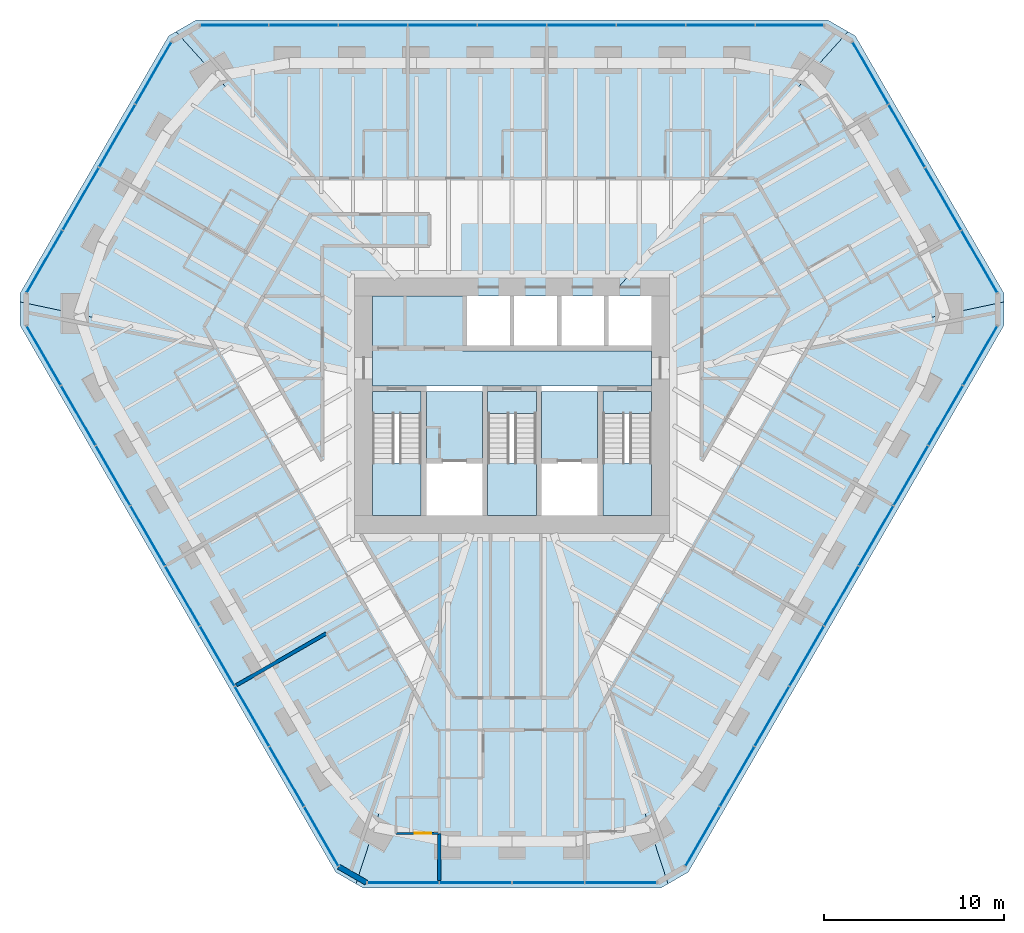
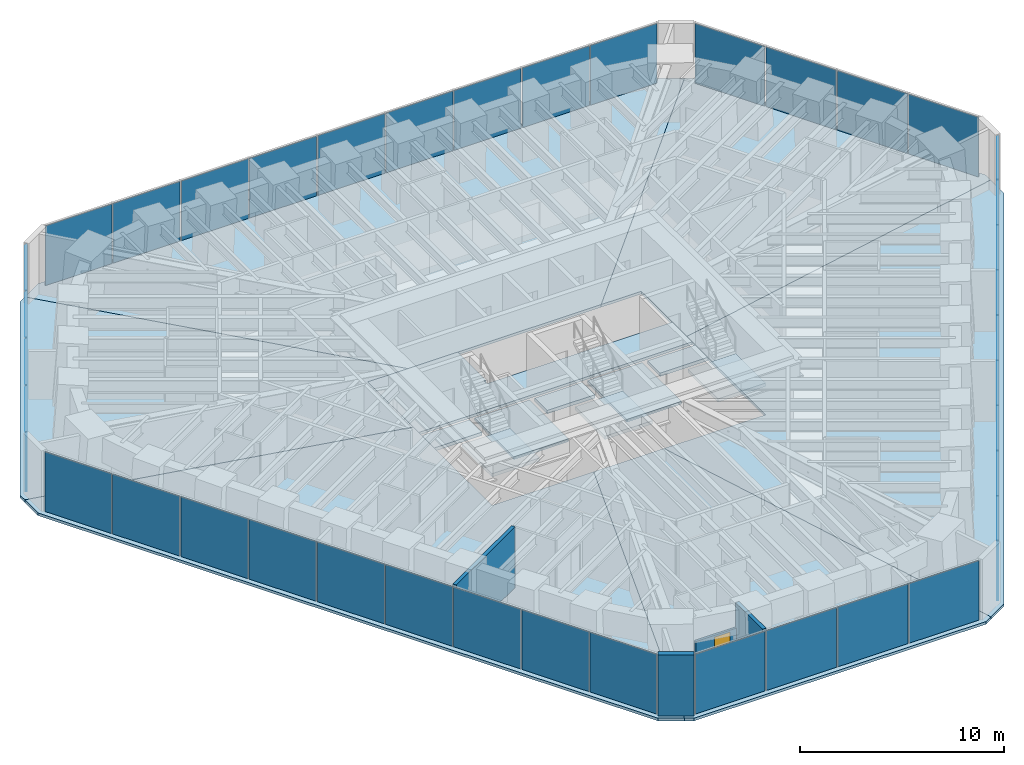
# One storey, part 10 of 16: 39 plates, 15 slabs, 4 walls, 1 door, 1 opening, 9 elements without a shape of their own.
"""IFC4 building model written with IfcOpenShell, lengths in metres."""

from ifc_helpers import new_model, si_unit, direction, frame, frame_2d, origin, origin_2d, place, context, subcontext, project, spatial, polyline, rectangle, outline, extrude, material, layer, layer_set, type_object, element, fill, aggregate, save


model = new_model("IFC4")

# Units and contexts
model_context = context("Model", 3, precision=1e-05, world=origin(), true_north=direction((0.0, 1.0)))
body_context = subcontext(model_context, "Body", "Model", "MODEL_VIEW")
ifc_project = project(units=[si_unit("LENGTHUNIT", "METRE"), si_unit("AREAUNIT", "SQUARE_METRE"), si_unit("VOLUMEUNIT", "CUBIC_METRE"), si_unit("PLANEANGLEUNIT", "RADIAN"), si_unit("MASSUNIT", "GRAM", prefix="KILO")], contexts=[model_context])

# Site, building, storey
site_placement = place(None, origin())
site = spatial("IfcSite", under=ifc_project, at=site_placement, CompositionType="ELEMENT")
building_placement = place(site_placement, origin())
building = spatial("IfcBuilding", under=site, at=building_placement, Name="Sandreach Pilgrim Tower", CompositionType="ELEMENT")
storey_placement = place(building_placement, frame((0.0, 0.0, 244.0)))
storey = spatial("IfcBuildingStorey", under=building, at=storey_placement, Name="L61", CompositionType="ELEMENT", Elevation=244.0)

# Curtain wall, plates
ifc_material_1 = material(Name="Aluminium framed curtain wall", Category="aluminium")
curtain_wall_type = type_object("IfcCurtainWallType", Name="Upper hotel tower curtain wall", PredefinedType="NOTDEFINED", material=ifc_material_1)
curtain_wall_1_placement = place(storey_placement, origin())
curtain_wall_1 = element("IfcCurtainWall", 1, at=curtain_wall_1_placement, inside=storey, type_object=curtain_wall_type, Name="CW-3 L61 N", PredefinedType="NOTDEFINED")
ifc_material_2 = material(Name="Insulating glass unit 12.76 laminated + 20 argon + 12.76 laminated", Category="glass")
ifc_layer_1 = layer(ifc_material_2, 0.0458984375)
ifc_layer_set_1 = layer_set([ifc_layer_1], Name="CW-3 panel")
plate_type = type_object("IfcPlateType", Name="CW-3 panel", PredefinedType="CURTAIN_PANEL", material=ifc_layer_set_1)
plate_1_placement = place(storey_placement, frame((-15.44140625, 21.16015625, 0.0), z_axis=(0.0, 0.0, 1.0), x_axis=(1.0, 0.0, 0.0)))
plate_1 = element("IfcPlate", 2, at=plate_1_placement, type_object=plate_type, Name="CW-3 panel 1", PredefinedType="CURTAIN_PANEL", context=body_context, shape_type="SweptSolid", body=[
    extrude(rectangle(XDim=3.766845703125, YDim=0.0458984375, at=origin_2d()), origin(), (0.0, 0.0, 1.0), 3.570068359375),
])
plate_2_placement = place(storey_placement, frame((-11.59326171875, 21.16015625, 0.0), z_axis=(0.0, 0.0, 1.0), x_axis=(1.0, 0.0, 0.0)))
plate_2 = element("IfcPlate", 3, at=plate_2_placement, type_object=plate_type, Name="CW-3 panel 2", PredefinedType="CURTAIN_PANEL", context=body_context, shape_type="SweptSolid", body=[
    extrude(rectangle(XDim=3.79931640625, YDim=0.0458984375, at=origin_2d()), origin(), (0.0, 0.0, 1.0), 3.570068359375),
])
plate_3_placement = place(storey_placement, frame((-7.728759765625, 21.16015625, 0.0), z_axis=(0.0, 0.0, 1.0), x_axis=(1.0, 0.0, 0.0)))
plate_3 = element("IfcPlate", 4, at=plate_3_placement, type_object=plate_type, Name="CW-3 panel 3", PredefinedType="CURTAIN_PANEL", context=body_context, shape_type="SweptSolid", body=[
    extrude(rectangle(XDim=3.79931640625, YDim=0.0458984375, at=origin_2d()), origin(), (0.0, 0.0, 1.0), 3.570068359375),
])
plate_4_placement = place(storey_placement, frame((-3.864501953125, 21.16015625, 0.0), z_axis=(0.0, 0.0, 1.0), x_axis=(1.0, 0.0, 0.0)))
plate_4 = element("IfcPlate", 5, at=plate_4_placement, type_object=plate_type, Name="CW-3 panel 4", PredefinedType="CURTAIN_PANEL", context=body_context, shape_type="SweptSolid", body=[
    extrude(rectangle(XDim=3.79931640625, YDim=0.0458984375, at=origin_2d()), origin(), (0.0, 0.0, 1.0), 3.570068359375),
])
plate_5_placement = place(storey_placement, frame((0.0, 21.16015625, 0.0), z_axis=(0.0, 0.0, 1.0), x_axis=(1.0, 0.0, 0.0)))
plate_5 = element("IfcPlate", 6, at=plate_5_placement, type_object=plate_type, Name="CW-3 panel 5", PredefinedType="CURTAIN_PANEL", context=body_context, shape_type="SweptSolid", body=[
    extrude(rectangle(XDim=3.79931640625, YDim=0.0458984375, at=origin_2d()), origin(), (0.0, 0.0, 1.0), 3.570068359375),
])
plate_6_placement = place(storey_placement, frame((3.864501953125, 21.16015625, 0.0), z_axis=(0.0, 0.0, 1.0), x_axis=(1.0, 0.0, 0.0)))
plate_6 = element("IfcPlate", 7, at=plate_6_placement, type_object=plate_type, Name="CW-3 panel 6", PredefinedType="CURTAIN_PANEL", context=body_context, shape_type="SweptSolid", body=[
    extrude(rectangle(XDim=3.79931640625, YDim=0.0458984375, at=origin_2d()), origin(), (0.0, 0.0, 1.0), 3.570068359375),
])
plate_7_placement = place(storey_placement, frame((7.728759765625, 21.16015625, 0.0), z_axis=(0.0, 0.0, 1.0), x_axis=(1.0, 0.0, 0.0)))
plate_7 = element("IfcPlate", 8, at=plate_7_placement, type_object=plate_type, Name="CW-3 panel 7", PredefinedType="CURTAIN_PANEL", context=body_context, shape_type="SweptSolid", body=[
    extrude(rectangle(XDim=3.79931640625, YDim=0.0458984375, at=origin_2d()), origin(), (0.0, 0.0, 1.0), 3.570068359375),
])
plate_8_placement = place(storey_placement, frame((11.59326171875, 21.16015625, 0.0), z_axis=(0.0, 0.0, 1.0), x_axis=(1.0, 0.0, 0.0)))
plate_8 = element("IfcPlate", 9, at=plate_8_placement, type_object=plate_type, Name="CW-3 panel 8", PredefinedType="CURTAIN_PANEL", context=body_context, shape_type="SweptSolid", body=[
    extrude(rectangle(XDim=3.79931640625, YDim=0.0458984375, at=origin_2d()), origin(), (0.0, 0.0, 1.0), 3.570068359375),
])
plate_9_placement = place(storey_placement, frame((15.44140625, 21.16015625, 0.0), z_axis=(0.0, 0.0, 1.0), x_axis=(1.0, 0.0, 0.0)))
plate_9 = element("IfcPlate", 10, at=plate_9_placement, type_object=plate_type, Name="CW-3 panel 9", PredefinedType="CURTAIN_PANEL", context=body_context, shape_type="SweptSolid", body=[
    extrude(rectangle(XDim=3.766845703125, YDim=0.0458984375, at=origin_2d()), origin(), (0.0, 0.0, 1.0), 3.570068359375),
])
aggregate(curtain_wall_1, [plate_1, plate_2, plate_3, plate_4, plate_5, plate_6, plate_7, plate_8, plate_9])

curtain_wall_2_placement = place(storey_placement, origin())
curtain_wall_2 = element("IfcCurtainWall", 11, at=curtain_wall_2_placement, inside=storey, type_object=curtain_wall_type, Name="CW-3 L61 NE", PredefinedType="NOTDEFINED")
plate_10_placement = place(storey_placement, frame((19.943115234375, 18.5078125, 0.0), z_axis=(0.0, 0.0, 1.0), x_axis=(0.5, -0.866025403784, 0.0)))
plate_10 = element("IfcPlate", 12, at=plate_10_placement, type_object=plate_type, Name="CW-3 panel 1", PredefinedType="CURTAIN_PANEL", context=body_context, shape_type="SweptSolid", body=[
    extrude(rectangle(XDim=3.951171875, YDim=0.0458984375, at=origin_2d()), origin(), (0.0, 0.0, 1.0), 3.570068359375),
])
plate_11_placement = place(storey_placement, frame((21.959228515625, 15.015625, 0.0), z_axis=(0.0, 0.0, 1.0), x_axis=(0.5, -0.866025403784, 0.0)))
plate_11 = element("IfcPlate", 13, at=plate_11_placement, type_object=plate_type, Name="CW-3 panel 2", PredefinedType="CURTAIN_PANEL", context=body_context, shape_type="SweptSolid", body=[
    extrude(rectangle(XDim=3.983642578125, YDim=0.0458984375, at=origin_2d()), origin(), (0.0, 0.0, 1.0), 3.570068359375),
])
plate_12_placement = place(storey_placement, frame((23.983642578125, 11.509521484375, 0.0), z_axis=(0.0, 0.0, 1.0), x_axis=(0.5, -0.866025403784, 0.0)))
plate_12 = element("IfcPlate", 14, at=plate_12_placement, type_object=plate_type, Name="CW-3 panel 3", PredefinedType="CURTAIN_PANEL", context=body_context, shape_type="SweptSolid", body=[
    extrude(rectangle(XDim=3.983642578125, YDim=0.0458984375, at=origin_2d()), origin(), (0.0, 0.0, 1.0), 3.570068359375),
])
plate_13_placement = place(storey_placement, frame((25.999755859375, 8.017333984375, 0.0), z_axis=(0.0, 0.0, 1.0), x_axis=(0.5, -0.866025403784, 0.0)))
plate_13 = element("IfcPlate", 15, at=plate_13_placement, type_object=plate_type, Name="CW-3 panel 4", PredefinedType="CURTAIN_PANEL", context=body_context, shape_type="SweptSolid", body=[
    extrude(rectangle(XDim=3.951171875, YDim=0.0458984375, at=origin_2d()), origin(), (0.0, 0.0, 1.0), 3.570068359375),
])
aggregate(curtain_wall_2, [plate_10, plate_11, plate_12, plate_13])

curtain_wall_3_placement = place(storey_placement, origin())
curtain_wall_3 = element("IfcCurtainWall", 16, at=curtain_wall_3_placement, inside=storey, type_object=curtain_wall_type, Name="CW-3 L61 SE", PredefinedType="NOTDEFINED")
plate_14_placement = place(storey_placement, frame((26.0458984375, 2.792724609375, 0.0), z_axis=(0.0, 0.0, 1.0), x_axis=(-0.5, -0.866025403784, 0.0)))
plate_14 = element("IfcPlate", 17, at=plate_14_placement, type_object=plate_type, Name="CW-3 panel 1", PredefinedType="CURTAIN_PANEL", context=body_context, shape_type="SweptSolid", body=[
    extrude(rectangle(XDim=3.766845703125, YDim=0.0458984375, at=origin_2d()), origin(), (0.0, 0.0, 1.0), 3.570068359375),
])
plate_15_placement = place(storey_placement, frame((24.121826171875, -0.5400390625, 0.0), z_axis=(0.0, 0.0, 1.0), x_axis=(-0.5, -0.866025403784, 0.0)))
plate_15 = element("IfcPlate", 18, at=plate_15_placement, type_object=plate_type, Name="CW-3 panel 2", PredefinedType="CURTAIN_PANEL", context=body_context, shape_type="SweptSolid", body=[
    extrude(rectangle(XDim=3.79931640625, YDim=0.0458984375, at=origin_2d()), origin(), (0.0, 0.0, 1.0), 3.570068359375),
])
plate_16_placement = place(storey_placement, frame((22.189697265625, -3.88671875, 0.0), z_axis=(0.0, 0.0, 1.0), x_axis=(-0.5, -0.866025403784, 0.0)))
plate_16 = element("IfcPlate", 19, at=plate_16_placement, type_object=plate_type, Name="CW-3 panel 3", PredefinedType="CURTAIN_PANEL", context=body_context, shape_type="SweptSolid", body=[
    extrude(rectangle(XDim=3.79931640625, YDim=0.0458984375, at=origin_2d()), origin(), (0.0, 0.0, 1.0), 3.570068359375),
])
plate_17_placement = place(storey_placement, frame((20.25732421875, -7.2333984375, 0.0), z_axis=(0.0, 0.0, 1.0), x_axis=(-0.5, -0.866025403784, 0.0)))
plate_17 = element("IfcPlate", 20, at=plate_17_placement, type_object=plate_type, Name="CW-3 panel 4", PredefinedType="CURTAIN_PANEL", context=body_context, shape_type="SweptSolid", body=[
    extrude(rectangle(XDim=3.79931640625, YDim=0.0458984375, at=origin_2d()), origin(), (0.0, 0.0, 1.0), 3.570068359375),
])
plate_18_placement = place(storey_placement, frame((18.3251953125, -10.580078125, 0.0), z_axis=(0.0, 0.0, 1.0), x_axis=(-0.5, -0.866025403784, 0.0)))
plate_18 = element("IfcPlate", 21, at=plate_18_placement, type_object=plate_type, Name="CW-3 panel 5", PredefinedType="CURTAIN_PANEL", context=body_context, shape_type="SweptSolid", body=[
    extrude(rectangle(XDim=3.79931640625, YDim=0.0458984375, at=origin_2d()), origin(), (0.0, 0.0, 1.0), 3.570068359375),
])
plate_19_placement = place(storey_placement, frame((16.39306640625, -13.9267578125, 0.0), z_axis=(0.0, 0.0, 1.0), x_axis=(-0.5, -0.866025403784, 0.0)))
plate_19 = element("IfcPlate", 22, at=plate_19_placement, type_object=plate_type, Name="CW-3 panel 6", PredefinedType="CURTAIN_PANEL", context=body_context, shape_type="SweptSolid", body=[
    extrude(rectangle(XDim=3.79931640625, YDim=0.0458984375, at=origin_2d()), origin(), (0.0, 0.0, 1.0), 3.570068359375),
])
plate_20_placement = place(storey_placement, frame((14.460693359375, -17.2734375, 0.0), z_axis=(0.0, 0.0, 1.0), x_axis=(-0.5, -0.866025403784, 0.0)))
plate_20 = element("IfcPlate", 23, at=plate_20_placement, type_object=plate_type, Name="CW-3 panel 7", PredefinedType="CURTAIN_PANEL", context=body_context, shape_type="SweptSolid", body=[
    extrude(rectangle(XDim=3.79931640625, YDim=0.0458984375, at=origin_2d()), origin(), (0.0, 0.0, 1.0), 3.570068359375),
])
plate_21_placement = place(storey_placement, frame((12.528564453125, -20.6201171875, 0.0), z_axis=(0.0, 0.0, 1.0), x_axis=(-0.5, -0.866025403784, 0.0)))
plate_21 = element("IfcPlate", 24, at=plate_21_placement, type_object=plate_type, Name="CW-3 panel 8", PredefinedType="CURTAIN_PANEL", context=body_context, shape_type="SweptSolid", body=[
    extrude(rectangle(XDim=3.79931640625, YDim=0.0458984375, at=origin_2d()), origin(), (0.0, 0.0, 1.0), 3.570068359375),
])
plate_22_placement = place(storey_placement, frame((10.6044921875, -23.95263671875, 0.0), z_axis=(0.0, 0.0, 1.0), x_axis=(-0.5, -0.866025403784, 0.0)))
plate_22 = element("IfcPlate", 25, at=plate_22_placement, type_object=plate_type, Name="CW-3 panel 9", PredefinedType="CURTAIN_PANEL", context=body_context, shape_type="SweptSolid", body=[
    extrude(rectangle(XDim=3.766845703125, YDim=0.0458984375, at=origin_2d()), origin(), (0.0, 0.0, 1.0), 3.570068359375),
])
aggregate(curtain_wall_3, [plate_14, plate_15, plate_16, plate_17, plate_18, plate_19, plate_20, plate_21, plate_22])

curtain_wall_4_placement = place(storey_placement, origin())
curtain_wall_4 = element("IfcCurtainWall", 26, at=curtain_wall_4_placement, inside=storey, type_object=curtain_wall_type, Name="CW-3 L61 S", PredefinedType="NOTDEFINED")
plate_23_placement = place(storey_placement, frame((6.056884765625, -26.525146484375, 0.0), z_axis=(0.0, 0.0, 1.0), x_axis=(-1.0, 0.0, 0.0)))
plate_23 = element("IfcPlate", 27, at=plate_23_placement, type_object=plate_type, Name="CW-3 panel 1", PredefinedType="CURTAIN_PANEL", context=body_context, shape_type="SweptSolid", body=[
    extrude(rectangle(XDim=3.951171875, YDim=0.0458984375, at=origin_2d()), origin(), (0.0, 0.0, 1.0), 3.570068359375),
])
plate_24_placement = place(storey_placement, frame((2.0244140625, -26.525146484375, 0.0), z_axis=(0.0, 0.0, 1.0), x_axis=(-1.0, 0.0, 0.0)))
plate_24 = element("IfcPlate", 28, at=plate_24_placement, type_object=plate_type, Name="CW-3 panel 2", PredefinedType="CURTAIN_PANEL", context=body_context, shape_type="SweptSolid", body=[
    extrude(rectangle(XDim=3.983642578125, YDim=0.0458984375, at=origin_2d()), origin(), (0.0, 0.0, 1.0), 3.570068359375),
])
plate_25_placement = place(storey_placement, frame((-2.0244140625, -26.525146484375, 0.0), z_axis=(0.0, 0.0, 1.0), x_axis=(-1.0, 0.0, 0.0)))
plate_25 = element("IfcPlate", 29, at=plate_25_placement, type_object=plate_type, Name="CW-3 panel 3", PredefinedType="CURTAIN_PANEL", context=body_context, shape_type="SweptSolid", body=[
    extrude(rectangle(XDim=3.983642578125, YDim=0.0458984375, at=origin_2d()), origin(), (0.0, 0.0, 1.0), 3.570068359375),
])
plate_26_placement = place(storey_placement, frame((-6.056884765625, -26.525146484375, 0.0), z_axis=(0.0, 0.0, 1.0), x_axis=(-1.0, 0.0, 0.0)))
plate_26 = element("IfcPlate", 30, at=plate_26_placement, type_object=plate_type, Name="CW-3 panel 4", PredefinedType="CURTAIN_PANEL", context=body_context, shape_type="SweptSolid", body=[
    extrude(rectangle(XDim=3.951171875, YDim=0.0458984375, at=origin_2d()), origin(), (0.0, 0.0, 1.0), 3.570068359375),
])
aggregate(curtain_wall_4, [plate_23, plate_24, plate_25, plate_26])

curtain_wall_5_placement = place(storey_placement, origin())
curtain_wall_5 = element("IfcCurtainWall", 31, at=curtain_wall_5_placement, inside=storey, type_object=curtain_wall_type, Name="CW-3 L61 SW", PredefinedType="NOTDEFINED")
plate_27_placement = place(storey_placement, frame((-10.6044921875, -23.95263671875, 0.0), z_axis=(0.0, 0.0, 1.0), x_axis=(-0.5, 0.866025403784, 0.0)))
plate_27 = element("IfcPlate", 32, at=plate_27_placement, type_object=plate_type, Name="CW-3 panel 1", PredefinedType="CURTAIN_PANEL", context=body_context, shape_type="SweptSolid", body=[
    extrude(rectangle(XDim=3.766845703125, YDim=0.0458984375, at=origin_2d()), origin(), (0.0, 0.0, 1.0), 3.570068359375),
])
plate_28_placement = place(storey_placement, frame((-12.528564453125, -20.6201171875, 0.0), z_axis=(0.0, 0.0, 1.0), x_axis=(-0.5, 0.866025403784, 0.0)))
plate_28 = element("IfcPlate", 33, at=plate_28_placement, type_object=plate_type, Name="CW-3 panel 2", PredefinedType="CURTAIN_PANEL", context=body_context, shape_type="SweptSolid", body=[
    extrude(rectangle(XDim=3.79931640625, YDim=0.0458984375, at=origin_2d()), origin(), (0.0, 0.0, 1.0), 3.570068359375),
])
plate_29_placement = place(storey_placement, frame((-14.460693359375, -17.2734375, 0.0), z_axis=(0.0, 0.0, 1.0), x_axis=(-0.5, 0.866025403784, 0.0)))
plate_29 = element("IfcPlate", 34, at=plate_29_placement, type_object=plate_type, Name="CW-3 panel 3", PredefinedType="CURTAIN_PANEL", context=body_context, shape_type="SweptSolid", body=[
    extrude(rectangle(XDim=3.79931640625, YDim=0.0458984375, at=origin_2d()), origin(), (0.0, 0.0, 1.0), 3.570068359375),
])
plate_30_placement = place(storey_placement, frame((-16.39306640625, -13.9267578125, 0.0), z_axis=(0.0, 0.0, 1.0), x_axis=(-0.5, 0.866025403784, 0.0)))
plate_30 = element("IfcPlate", 35, at=plate_30_placement, type_object=plate_type, Name="CW-3 panel 4", PredefinedType="CURTAIN_PANEL", context=body_context, shape_type="SweptSolid", body=[
    extrude(rectangle(XDim=3.79931640625, YDim=0.0458984375, at=origin_2d()), origin(), (0.0, 0.0, 1.0), 3.570068359375),
])
plate_31_placement = place(storey_placement, frame((-18.3251953125, -10.580078125, 0.0), z_axis=(0.0, 0.0, 1.0), x_axis=(-0.5, 0.866025403784, 0.0)))
plate_31 = element("IfcPlate", 36, at=plate_31_placement, type_object=plate_type, Name="CW-3 panel 5", PredefinedType="CURTAIN_PANEL", context=body_context, shape_type="SweptSolid", body=[
    extrude(rectangle(XDim=3.79931640625, YDim=0.0458984375, at=origin_2d()), origin(), (0.0, 0.0, 1.0), 3.570068359375),
])
plate_32_placement = place(storey_placement, frame((-20.25732421875, -7.2333984375, 0.0), z_axis=(0.0, 0.0, 1.0), x_axis=(-0.5, 0.866025403784, 0.0)))
plate_32 = element("IfcPlate", 37, at=plate_32_placement, type_object=plate_type, Name="CW-3 panel 6", PredefinedType="CURTAIN_PANEL", context=body_context, shape_type="SweptSolid", body=[
    extrude(rectangle(XDim=3.79931640625, YDim=0.0458984375, at=origin_2d()), origin(), (0.0, 0.0, 1.0), 3.570068359375),
])
plate_33_placement = place(storey_placement, frame((-22.189697265625, -3.88671875, 0.0), z_axis=(0.0, 0.0, 1.0), x_axis=(-0.5, 0.866025403784, 0.0)))
plate_33 = element("IfcPlate", 38, at=plate_33_placement, type_object=plate_type, Name="CW-3 panel 7", PredefinedType="CURTAIN_PANEL", context=body_context, shape_type="SweptSolid", body=[
    extrude(rectangle(XDim=3.79931640625, YDim=0.0458984375, at=origin_2d()), origin(), (0.0, 0.0, 1.0), 3.570068359375),
])
plate_34_placement = place(storey_placement, frame((-24.121826171875, -0.5400390625, 0.0), z_axis=(0.0, 0.0, 1.0), x_axis=(-0.5, 0.866025403784, 0.0)))
plate_34 = element("IfcPlate", 39, at=plate_34_placement, type_object=plate_type, Name="CW-3 panel 8", PredefinedType="CURTAIN_PANEL", context=body_context, shape_type="SweptSolid", body=[
    extrude(rectangle(XDim=3.79931640625, YDim=0.0458984375, at=origin_2d()), origin(), (0.0, 0.0, 1.0), 3.570068359375),
])
plate_35_placement = place(storey_placement, frame((-26.0458984375, 2.792724609375, 0.0), z_axis=(0.0, 0.0, 1.0), x_axis=(-0.5, 0.866025403784, 0.0)))
plate_35 = element("IfcPlate", 40, at=plate_35_placement, type_object=plate_type, Name="CW-3 panel 9", PredefinedType="CURTAIN_PANEL", context=body_context, shape_type="SweptSolid", body=[
    extrude(rectangle(XDim=3.766845703125, YDim=0.0458984375, at=origin_2d()), origin(), (0.0, 0.0, 1.0), 3.570068359375),
])
aggregate(curtain_wall_5, [plate_27, plate_28, plate_29, plate_30, plate_31, plate_32, plate_33, plate_34, plate_35])

curtain_wall_6_placement = place(storey_placement, origin())
curtain_wall_6 = element("IfcCurtainWall", 41, at=curtain_wall_6_placement, inside=storey, type_object=curtain_wall_type, Name="CW-3 L61 NW", PredefinedType="NOTDEFINED")
plate_36_placement = place(storey_placement, frame((-25.999755859375, 8.017333984375, 0.0), z_axis=(0.0, 0.0, 1.0), x_axis=(0.5, 0.866025403784, 0.0)))
plate_36 = element("IfcPlate", 42, at=plate_36_placement, type_object=plate_type, Name="CW-3 panel 1", PredefinedType="CURTAIN_PANEL", context=body_context, shape_type="SweptSolid", body=[
    extrude(rectangle(XDim=3.951171875, YDim=0.0458984375, at=origin_2d()), origin(), (0.0, 0.0, 1.0), 3.570068359375),
])
plate_37_placement = place(storey_placement, frame((-23.983642578125, 11.509521484375, 0.0), z_axis=(0.0, 0.0, 1.0), x_axis=(0.5, 0.866025403784, 0.0)))
plate_37 = element("IfcPlate", 43, at=plate_37_placement, type_object=plate_type, Name="CW-3 panel 2", PredefinedType="CURTAIN_PANEL", context=body_context, shape_type="SweptSolid", body=[
    extrude(rectangle(XDim=3.983642578125, YDim=0.0458984375, at=origin_2d()), origin(), (0.0, 0.0, 1.0), 3.570068359375),
])
plate_38_placement = place(storey_placement, frame((-21.959228515625, 15.015625, 0.0), z_axis=(0.0, 0.0, 1.0), x_axis=(0.5, 0.866025403784, 0.0)))
plate_38 = element("IfcPlate", 44, at=plate_38_placement, type_object=plate_type, Name="CW-3 panel 3", PredefinedType="CURTAIN_PANEL", context=body_context, shape_type="SweptSolid", body=[
    extrude(rectangle(XDim=3.983642578125, YDim=0.0458984375, at=origin_2d()), origin(), (0.0, 0.0, 1.0), 3.570068359375),
])
plate_39_placement = place(storey_placement, frame((-19.943115234375, 18.5078125, 0.0), z_axis=(0.0, 0.0, 1.0), x_axis=(0.5, 0.866025403784, 0.0)))
plate_39 = element("IfcPlate", 45, at=plate_39_placement, type_object=plate_type, Name="CW-3 panel 4", PredefinedType="CURTAIN_PANEL", context=body_context, shape_type="SweptSolid", body=[
    extrude(rectangle(XDim=3.951171875, YDim=0.0458984375, at=origin_2d()), origin(), (0.0, 0.0, 1.0), 3.570068359375),
])
aggregate(curtain_wall_6, [plate_36, plate_37, plate_38, plate_39])

# Slabs
ifc_material_3 = material(Name="Concrete 8000 psi", Category="concrete")
ifc_layer_2 = layer(ifc_material_3, 0.159912109375)
ifc_layer_set_2 = layer_set([ifc_layer_2], Name="Composite floor slab 160")
slab_type_1 = type_object("IfcSlabType", Name="Composite floor slab 160", PredefinedType="FLOOR", material=ifc_layer_set_2)
slab_1_placement = place(storey_placement, frame((0.0, 0.0, -0.159912109375)))
element("IfcSlab", 46, at=slab_1_placement, inside=storey, type_object=slab_type_1, Name="Floor slab L61 N sector", PredefinedType="FLOOR", context=body_context, shape_type="SweptSolid", body=[
    extrude(outline(polyline([(-17.56298828125, 21.460205078125), (17.56298828125, 21.460205078125), (18.68701171875, 20.81103515625), (5.477294921875, 6.10009765625), (-5.477294921875, 6.10009765625), (-18.68701171875, 20.81103515625), (-17.56298828125, 21.460205078125)])), origin(), (0.0, 0.0, 1.0), 0.159912109375),
])
slab_2_placement = place(storey_placement, frame((0.0, 0.0, -0.159912109375)))
element("IfcSlab", 47, at=slab_2_placement, inside=storey, type_object=slab_type_1, Name="Floor slab L61 NE sector", PredefinedType="FLOOR", context=body_context, shape_type="SweptSolid", body=[
    extrude(outline(polyline([(19.095947265625, 20.5751953125), (27.366455078125, 6.25), (27.366455078125, 5.778076171875), (7.75, 1.63623046875), (7.75, 6.10009765625), (5.477294921875, 6.10009765625), (18.68701171875, 20.81103515625), (19.095947265625, 20.5751953125)])), origin(), (0.0, 0.0, 1.0), 0.159912109375),
])
slab_3_placement = place(storey_placement, frame((0.0, 0.0, -0.159912109375)))
element("IfcSlab", 48, at=slab_3_placement, inside=storey, type_object=slab_type_1, Name="Floor slab L61 SE sector", PredefinedType="FLOOR", context=body_context, shape_type="SweptSolid", body=[
    extrude(outline(polyline([(27.366455078125, 4.47998046875), (9.803466796875, -25.940185546875), (8.679443359375, -26.589111328125), (1.9912109375, -6.10009765625), (7.75, -6.10009765625), (7.75, 1.63623046875), (27.366455078125, 5.778076171875), (27.366455078125, 4.47998046875)])), origin(), (0.0, 0.0, 1.0), 0.159912109375),
])
slab_4_placement = place(storey_placement, frame((0.0, 0.0, -0.159912109375)))
element("IfcSlab", 49, at=slab_4_placement, inside=storey, type_object=slab_type_1, Name="Floor slab L61 S sector", PredefinedType="FLOOR", context=body_context, shape_type="SweptSolid", body=[
    extrude(outline(polyline([(8.2705078125, -26.8251953125), (-8.2705078125, -26.8251953125), (-8.679443359375, -26.589111328125), (-1.9912109375, -6.10009765625), (1.9912109375, -6.10009765625), (8.679443359375, -26.589111328125), (8.2705078125, -26.8251953125)])), origin(), (0.0, 0.0, 1.0), 0.159912109375),
])
slab_5_placement = place(storey_placement, frame((0.0, 0.0, -0.159912109375)))
element("IfcSlab", 50, at=slab_5_placement, inside=storey, type_object=slab_type_1, Name="Floor slab L61 SW sector", PredefinedType="FLOOR", context=body_context, shape_type="SweptSolid", body=[
    extrude(outline(polyline([(-9.803466796875, -25.940185546875), (-27.366455078125, 4.47998046875), (-27.366455078125, 5.778076171875), (-7.75, 1.63623046875), (-7.75, -6.10009765625), (-1.9912109375, -6.10009765625), (-8.679443359375, -26.589111328125), (-9.803466796875, -25.940185546875)])), origin(), (0.0, 0.0, 1.0), 0.159912109375),
])
slab_6_placement = place(storey_placement, frame((0.0, 0.0, -0.159912109375)))
element("IfcSlab", 51, at=slab_6_placement, inside=storey, type_object=slab_type_1, Name="Floor slab L61 NW sector", PredefinedType="FLOOR", context=body_context, shape_type="SweptSolid", body=[
    extrude(outline(polyline([(-27.366455078125, 6.25), (-19.095947265625, 20.5751953125), (-18.68701171875, 20.81103515625), (-5.477294921875, 6.10009765625), (-7.75, 6.10009765625), (-7.75, 1.63623046875), (-27.366455078125, 5.778076171875), (-27.366455078125, 6.25)])), origin(), (0.0, 0.0, 1.0), 0.159912109375),
])
slab_7_placement = place(storey_placement, frame((0.0, 0.0, -0.159912109375)))
element("IfcSlab", 52, at=slab_7_placement, inside=storey, type_object=slab_type_1, Name="Core floor slab and stores L61", PredefinedType="FLOOR", context=body_context, shape_type="SweptSolid", body=[
    extrude(outline(polyline([(-2.75, 3.35009765625), (-2.75, 3.050048828125), (-0.125, 3.050048828125), (0.125, 3.050048828125), (2.5, 3.050048828125), (2.75, 3.050048828125), (5.125, 3.050048828125), (5.375, 3.050048828125), (7.75, 3.050048828125), (7.75, 1.10009765625), (5.050048828125, 1.10009765625), (4.75, 1.10009765625), (1.64990234375, 1.10009765625), (1.35009765625, 1.10009765625), (-1.35009765625, 1.10009765625), (-1.64990234375, 1.10009765625), (-4.75, 1.10009765625), (-5.050048828125, 1.10009765625), (-7.75, 1.10009765625), (-7.75, 6.10009765625), (-2.64990234375, 6.10009765625), (-2.64990234375, 3.35009765625), (-2.75, 3.35009765625)])), origin(), (0.0, 0.0, 1.0), 0.159912109375),
])
slab_8_placement = place(storey_placement, frame((0.0, 0.0, -0.159912109375)))
element("IfcSlab", 53, at=slab_8_placement, inside=storey, type_object=slab_type_1, Name="Core floor slab and stores L61 2", PredefinedType="FLOOR", context=body_context, shape_type="SweptSolid", body=[
    extrude(outline(polyline([(-1.64990234375, -3.050048828125), (-4.75, -3.050048828125), (-4.75, 0.800048828125), (-1.64990234375, 0.800048828125), (-1.64990234375, -3.050048828125)])), origin(), (0.0, 0.0, 1.0), 0.159912109375),
])
slab_9_placement = place(storey_placement, frame((0.0, 0.0, -0.159912109375)))
element("IfcSlab", 54, at=slab_9_placement, inside=storey, type_object=slab_type_1, Name="Core floor slab and stores L61 3", PredefinedType="FLOOR", context=body_context, shape_type="SweptSolid", body=[
    extrude(outline(polyline([(4.75, -3.050048828125), (1.64990234375, -3.050048828125), (1.64990234375, 0.800048828125), (4.75, 0.800048828125), (4.75, -3.050048828125)])), origin(), (0.0, 0.0, 1.0), 0.159912109375),
])

# Stair, slabs
ifc_material_4 = material(Name="Concrete 8000 psi", Category="concrete")
stair_type = type_object("IfcStairType", Name="Core exit stair", PredefinedType="HALF_TURN_STAIR", material=ifc_material_4)
stair_1_placement = place(storey_placement, origin())
stair_1 = element("IfcStair", 55, at=stair_1_placement, inside=storey, type_object=stair_type, Name="Exit stair ST1 L61", PredefinedType="HALF_TURN_STAIR")
ifc_material_5 = material(Name="Concrete 8000 psi", Category="concrete")
ifc_layer_3 = layer(ifc_material_5, 0.199951171875)
ifc_layer_set_3 = layer_set([ifc_layer_3], Name="Core stair landing 200")
slab_type_2 = type_object("IfcSlabType", Name="Core stair landing 200", PredefinedType="LANDING", material=ifc_layer_set_3)
slab_10_placement = place(storey_placement, frame((0.0, 0.0, -0.199951171875)))
slab_10 = element("IfcSlab", 56, at=slab_10_placement, type_object=slab_type_2, Name="ST1 landing 1", PredefinedType="LANDING", context=body_context, shape_type="SweptSolid", body=[
    extrude(outline(polyline([(-7.75, -0.425048828125), (-5.050048828125, -0.425048828125), (-5.050048828125, 0.800048828125), (-7.75, 0.800048828125), (-7.75, -0.425048828125)])), origin(), (0.0, 0.0, 1.0), 0.199951171875),
])
slab_11_placement = place(storey_placement, frame((0.0, 0.0, 1.699951171875)))
slab_11 = element("IfcSlab", 57, at=slab_11_placement, type_object=slab_type_2, Name="ST1 landing 2", PredefinedType="LANDING", context=body_context, shape_type="SweptSolid", body=[
    extrude(outline(polyline([(-7.75, -6.10009765625), (-5.050048828125, -6.10009765625), (-5.050048828125, -3.175048828125), (-7.75, -3.175048828125), (-7.75, -6.10009765625)])), origin(), (0.0, 0.0, 1.0), 0.199951171875),
])
aggregate(stair_1, [slab_10, slab_11])

stair_2_placement = place(storey_placement, origin())
stair_2 = element("IfcStair", 58, at=stair_2_placement, inside=storey, type_object=stair_type, Name="Exit stair ST3 L61", PredefinedType="HALF_TURN_STAIR")
slab_12_placement = place(storey_placement, frame((0.0, 0.0, -0.199951171875)))
slab_12 = element("IfcSlab", 59, at=slab_12_placement, type_object=slab_type_2, Name="ST3 landing 1", PredefinedType="LANDING", context=body_context, shape_type="SweptSolid", body=[
    extrude(outline(polyline([(-1.35009765625, -0.425048828125), (1.35009765625, -0.425048828125), (1.35009765625, 0.800048828125), (-1.35009765625, 0.800048828125), (-1.35009765625, -0.425048828125)])), origin(), (0.0, 0.0, 1.0), 0.199951171875),
])
slab_13_placement = place(storey_placement, frame((0.0, 0.0, 1.699951171875)))
slab_13 = element("IfcSlab", 60, at=slab_13_placement, type_object=slab_type_2, Name="ST3 landing 2", PredefinedType="LANDING", context=body_context, shape_type="SweptSolid", body=[
    extrude(outline(polyline([(-1.35009765625, -6.10009765625), (1.35009765625, -6.10009765625), (1.35009765625, -3.175048828125), (-1.35009765625, -3.175048828125), (-1.35009765625, -6.10009765625)])), origin(), (0.0, 0.0, 1.0), 0.199951171875),
])
aggregate(stair_2, [slab_12, slab_13])

stair_3_placement = place(storey_placement, origin())
stair_3 = element("IfcStair", 61, at=stair_3_placement, inside=storey, type_object=stair_type, Name="Exit stair ST2 L61", PredefinedType="HALF_TURN_STAIR")
slab_14_placement = place(storey_placement, frame((0.0, 0.0, -0.199951171875)))
slab_14 = element("IfcSlab", 62, at=slab_14_placement, type_object=slab_type_2, Name="ST2 landing 1", PredefinedType="LANDING", context=body_context, shape_type="SweptSolid", body=[
    extrude(outline(polyline([(5.050048828125, -0.425048828125), (7.75, -0.425048828125), (7.75, 0.800048828125), (5.050048828125, 0.800048828125), (5.050048828125, -0.425048828125)])), origin(), (0.0, 0.0, 1.0), 0.199951171875),
])
slab_15_placement = place(storey_placement, frame((0.0, 0.0, 1.699951171875)))
slab_15 = element("IfcSlab", 63, at=slab_15_placement, type_object=slab_type_2, Name="ST2 landing 2", PredefinedType="LANDING", context=body_context, shape_type="SweptSolid", body=[
    extrude(outline(polyline([(5.050048828125, -6.10009765625), (7.75, -6.10009765625), (7.75, -3.175048828125), (5.050048828125, -3.175048828125), (5.050048828125, -6.10009765625)])), origin(), (0.0, 0.0, 1.0), 0.199951171875),
])
aggregate(stair_3, [slab_14, slab_15])

# Wall, opening, door
ifc_material_6 = material(Name="Moisture-resistant gypsum board on steel studs", Category="steel")
ifc_layer_4 = layer(ifc_material_6, 0.1201171875)
ifc_layer_set_4 = layer_set([ifc_layer_4], Name="Bathroom partition 120")
wall_type_1 = type_object("IfcWallType", Name="Bathroom partition 120", PredefinedType="PARTITIONING", material=ifc_layer_set_4)
wall_1_placement = place(storey_placement, frame((-6.449951171875, -23.780029296875, 0.0), z_axis=(0.0, 0.0, 1.0), x_axis=(1.0, 0.0, 0.0)))
wall_1 = element("IfcWall", 64, at=wall_1_placement, inside=storey, type_object=wall_type_1, Name="Bathroom partition L61-047", PredefinedType="PARTITIONING", context=body_context, shape_type="SweptSolid", body=[
    extrude(rectangle(XDim=2.39990234375, YDim=0.1201171875, at=frame_2d((1.199951171875, 0.0))), origin(), (0.0, 0.0, 1.0), 2.139892578125),
])
opening_placement = place(wall_1_placement, frame((1.050048828125, 0.0, 0.0)))
opening = element("IfcOpeningElement", 65, at=opening_placement, cuts=wall_1, Name="Opening D09-12B", PredefinedType="OPENING", context=body_context, shape_type="SweptSolid", body=[
    extrude(rectangle(XDim=0.89990234375, YDim=2.030029296875, at=frame_2d((0.449951171875, 1.01513671875))), frame((0.0, 0.06005859375, 0.0), z_axis=(0.0, -1.0, 0.0), x_axis=(1.0, 0.0, 0.0)), (0.0, 0.0, 1.0), 0.1201171875),
])
ifc_material_7 = material(Name="Timber door, steel frame", Category="steel")
door_type = type_object("IfcDoorType", Name="Bathroom door", OperationType="SINGLE_SWING_LEFT", PredefinedType="DOOR", material=ifc_material_7)
door_placement = place(opening_placement, origin())
door = element("IfcDoor", 66, at=door_placement, inside=storey, type_object=door_type, Name="Door 6112B", OperationType="SINGLE_SWING_RIGHT", OverallHeight=2.030029296875, OverallWidth=0.89990234375, PredefinedType="DOOR", context=body_context, shape_type="SweptSolid", body=[
    extrude(rectangle(XDim=0.89990234375, YDim=2.030029296875, at=frame_2d((0.449951171875, 1.01513671875))), frame((0.0, 0.02490234375, 0.0), z_axis=(0.0, -1.0, 0.0), x_axis=(1.0, 0.0, 0.0)), (0.0, 0.0, 1.0), 0.050048828125),
])
fill(opening, door)

# Walls
ifc_material_8 = material(Name="Double steel stud acoustic wall, gypsum board", Category="steel")
ifc_layer_5 = layer(ifc_material_8, 0.199951171875)
ifc_layer_set_5 = layer_set([ifc_layer_5], Name="Party wall 200")
wall_type_2 = type_object("IfcWallType", Name="Party wall 200", PredefinedType="PARTITIONING", material=ifc_layer_set_5)
wall_2_placement = place(storey_placement, frame((-15.325927734375, -15.5400390625, 0.0), z_axis=(0.0, 0.0, 1.0), x_axis=(0.866342721203, 0.499449986905, 0.0)))
element("IfcWall", 67, at=wall_2_placement, inside=storey, type_object=wall_type_2, Name="Party wall L61-015", PredefinedType="PARTITIONING", context=body_context, shape_type="SweptSolid", body=[
    extrude(rectangle(XDim=5.7666015625, YDim=0.199951171875, at=frame_2d((2.88330078125, 0.0))), origin(), (0.0, 0.0, 1.0), 3.639892578125),
])
wall_3_placement = place(storey_placement, frame((-4.050048828125, -26.409912109375, 0.0), z_axis=(0.0, 0.0, 1.0), x_axis=(0.0, 1.0, 0.0)))
element("IfcWall", 68, at=wall_3_placement, inside=storey, type_object=wall_type_2, Name="Party wall L61-057", PredefinedType="PARTITIONING", context=body_context, shape_type="SweptSolid", body=[
    extrude(rectangle(XDim=2.6298828125, YDim=0.199951171875, at=frame_2d((1.31494140625, 0.0))), origin(), (0.0, 0.0, 1.0), 3.639892578125),
])
ifc_material_9 = material(Name="Terracotta rainscreen on concrete", Category="masonry")
ifc_layer_6 = layer(ifc_material_9, 0.300048828125)
ifc_layer_set_6 = layer_set([ifc_layer_6], Name="Terracotta chamfer pier")
wall_type_3 = type_object("IfcWallType", Name="Terracotta chamfer pier", PredefinedType="SOLIDWALL", material=ifc_layer_set_6)
wall_4_placement = place(storey_placement, frame((-8.097412109375, -26.525146484375, 0.0), z_axis=(0.0, 0.0, 1.0), x_axis=(-0.866036293601, 0.499981137809, 0.0)))
element("IfcWall", 69, at=wall_4_placement, inside=storey, type_object=wall_type_3, Name="Chamfer pier L61 S", PredefinedType="SOLIDWALL", context=body_context, shape_type="SweptSolid", body=[
    extrude(rectangle(XDim=1.77001953125, YDim=0.300048828125, at=frame_2d((0.885009765625, 0.0))), origin(), (0.0, 0.0, 1.0), 3.639892578125),
])

save(model, "model.ifc")
